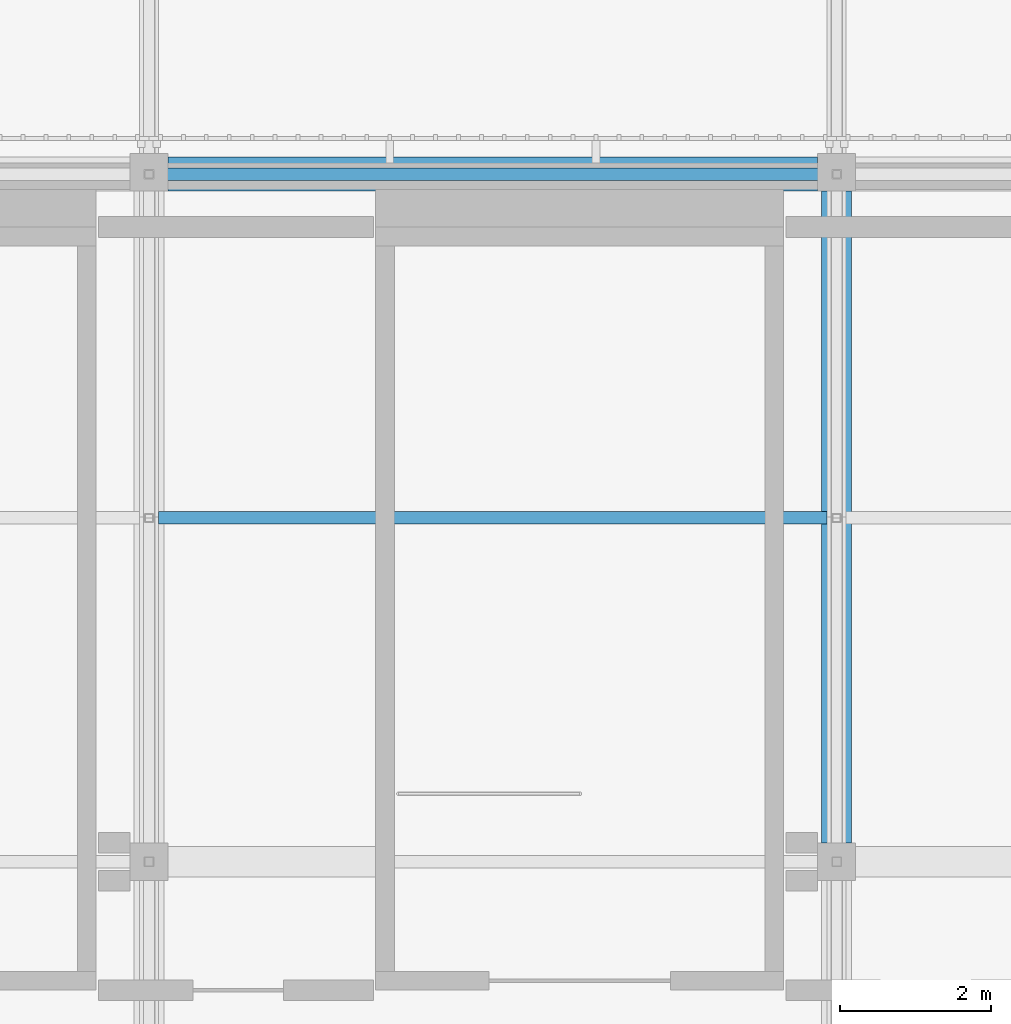
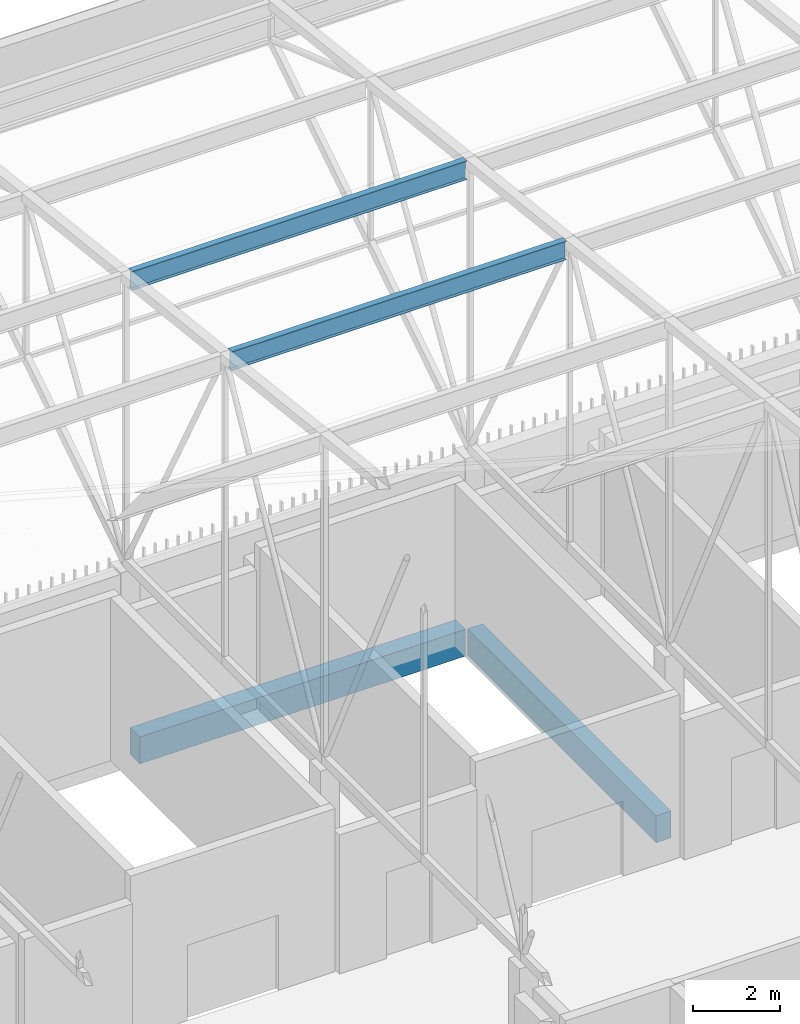
# One storey, part 401 of 500: 2 beams, 2 members.
"""IFC4 building model written with IfcOpenShell, lengths in metres."""

from ifc_helpers import new_model, si_unit, direction, frame, origin, origin_2d, place, context, subcontext, project, spatial, rectangle, i_section, extrude, material, material_profile, profile_set, type_object, element, save


model = new_model("IFC4")

# Units and contexts
model_context = context("Model", 3, precision=1e-05, world=origin(), true_north=direction((0.0, 1.0)))
body_context = subcontext(model_context, "Body", "Model", "MODEL_VIEW")
ifc_project = project(units=[si_unit("LENGTHUNIT", "METRE"), si_unit("AREAUNIT", "SQUARE_METRE"), si_unit("VOLUMEUNIT", "CUBIC_METRE"), si_unit("PLANEANGLEUNIT", "RADIAN"), si_unit("MASSUNIT", "GRAM", prefix="KILO")], contexts=[model_context])

# Site, building, storey
site_placement = place(None, origin())
site = spatial("IfcSite", under=ifc_project, at=site_placement, CompositionType="ELEMENT")
building_placement = place(site_placement, origin())
building = spatial("IfcBuilding", under=site, at=building_placement, Name="Shirokan Park Arena", CompositionType="ELEMENT")
storey_placement = place(building_placement, frame((0.0, 0.0, 29.1201171875)))
storey = spatial("IfcBuildingStorey", under=building, at=storey_placement, Name="L06", CompositionType="ELEMENT", Elevation=29.1201171875)

# Members
ifc_material_1 = material(Name="Steel ASTM A992", Category="steel")
ifc_material_profile_1 = material_profile(ifc_material_1, i_section(OverallWidth=0.166015625, OverallDepth=0.528076171875, WebThickness=0.009765625, FlangeThickness=0.013671875, at=origin_2d()), Name="W530X74")
ifc_profile_set_1 = profile_set([ifc_material_profile_1], Name="Steel ASTM A992")
member_type = type_object("IfcMemberType", Name="Purlin W530X74", PredefinedType="PURLIN", material=ifc_profile_set_1)
for number, where, z_axis, x_axis, name in (
    (1, (118.427001953125, 104.64990234375, 13.005859375), (1.0, 0.0, 0.0), (0.0, 1.0, 0.0), "Purlin 26 bay 14"),
    (2, (118.427001953125, 109.199951171875, 12.48583984375), (1.0, 0.0, 0.0), (0.0, 1.0, 0.0), "Purlin 27 bay 14"),
):
    element("IfcMember", number, at=place(storey_placement, frame(where, z_axis=z_axis, x_axis=x_axis)), inside=storey, type_object=member_type, Name=name, PredefinedType="PURLIN", context=body_context, shape_type="SweptSolid", body=[
        extrude(i_section(OverallWidth=0.166015625, OverallDepth=0.528076171875, WebThickness=0.009765625, FlangeThickness=0.013671875, at=origin_2d()), origin(), (0.0, 0.0, 1.0), 8.845947265625),
    ])

# Beams
ifc_material_2 = material(Name="Concrete C35", Category="concrete")
ifc_material_profile_2 = material_profile(ifc_material_2, rectangle(XDim=0.39990234375, YDim=0.75, at=origin_2d()), Name="400x750")
ifc_profile_set_2 = profile_set([ifc_material_profile_2], Name="Concrete C35")
beam_type_1 = type_object("IfcBeamType", Name="RC girder 400x750", PredefinedType="BEAM", material=ifc_profile_set_2)
beam_1_placement = place(storey_placement, frame((127.39990234375, 100.35009765625, -0.5751953125), z_axis=(0.0, 1.0, 0.0), x_axis=(-1.0, 0.0, 0.0)))
element("IfcBeam", 3, at=beam_1_placement, inside=storey, type_object=beam_type_1, Name="Girder 15M-15N L06", PredefinedType="BEAM", context=body_context, shape_type="SweptSolid", body=[
    extrude(rectangle(XDim=0.39990234375, YDim=0.75, at=origin_2d()), origin(), (0.0, 0.0, 1.0), 8.624755859375),
])
ifc_material_profile_3 = material_profile(ifc_material_2, rectangle(XDim=0.449951171875, YDim=0.75, at=origin_2d()), Name="450x750")
ifc_profile_set_3 = profile_set([ifc_material_profile_3], Name="Concrete C35")
beam_type_2 = type_object("IfcBeamType", Name="RC girder 450x750", PredefinedType="BEAM", material=ifc_profile_set_3)
beam_2_placement = place(storey_placement, frame((118.550048828125, 109.199951171875, -0.5751953125), z_axis=(1.0, 0.0, 0.0), x_axis=(0.0, 1.0, 0.0)))
element("IfcBeam", 4, at=beam_2_placement, inside=storey, type_object=beam_type_2, Name="Girder 14N-15N L06", PredefinedType="BEAM", context=body_context, shape_type="SweptSolid", body=[
    extrude(rectangle(XDim=0.449951171875, YDim=0.75, at=origin_2d()), origin(), (0.0, 0.0, 1.0), 8.599853515625),
])

save(model, "model.ifc")
